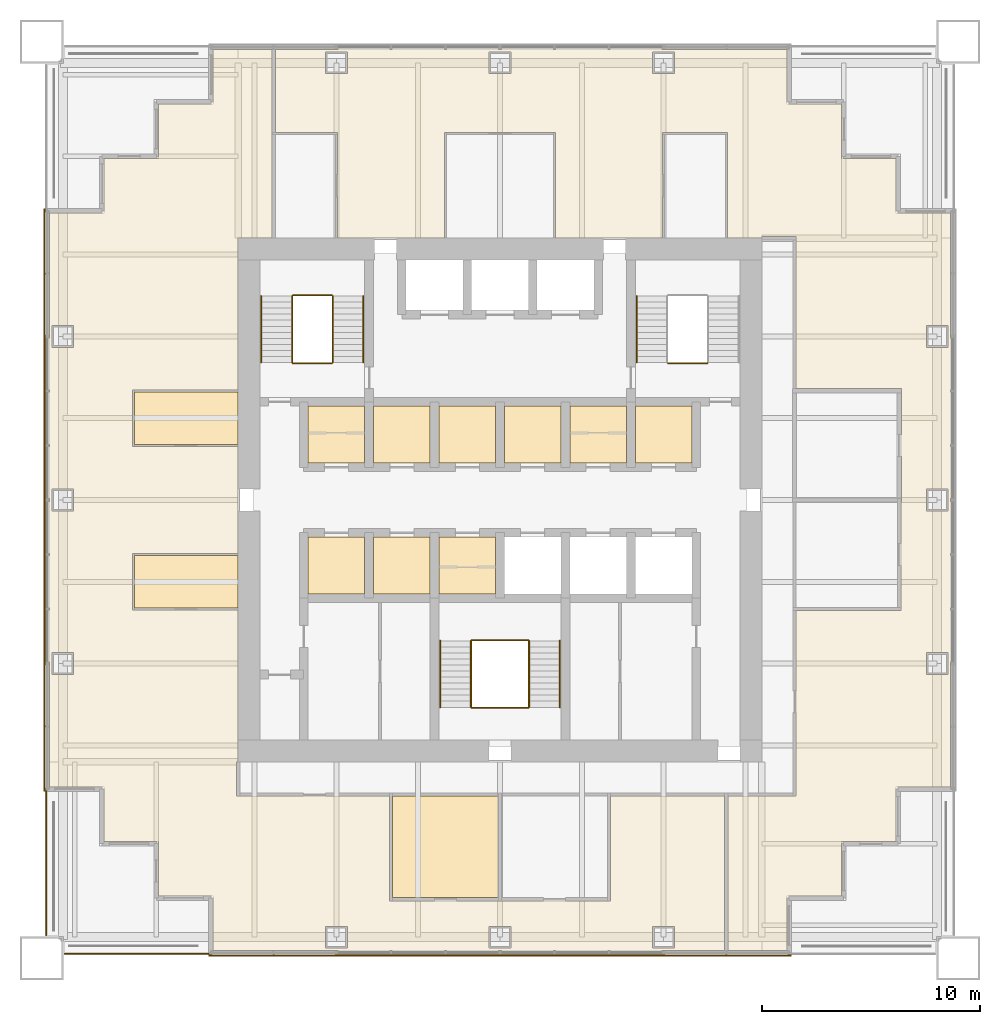
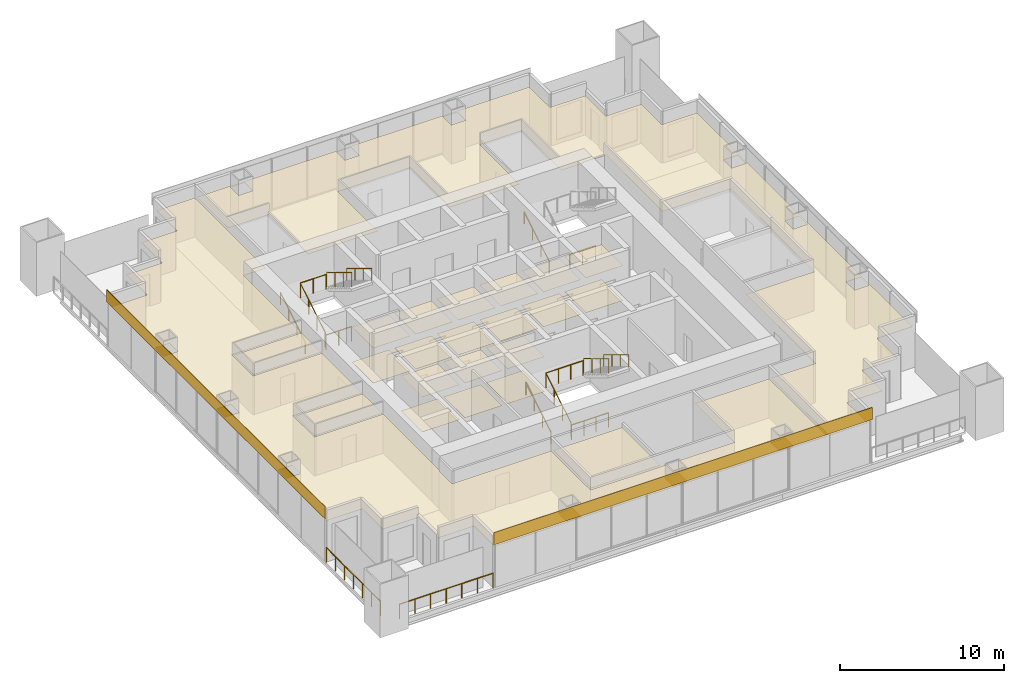
# One storey, part 13 of 14: 25 coverings, 16 railings.
"""IFC4 building model written with IfcOpenShell, lengths in metres."""

from ifc_helpers import new_model, si_unit, direction, frame, origin, origin_2d, place, context, subcontext, project, spatial, polyline, rectangle, circle, outline, extrude, material, layer, layer_set, type_object, element, save


model = new_model("IFC4")

# Units and contexts
model_context = context("Model", 3, precision=1e-05, world=origin(), true_north=direction((0.0, 1.0)))
body_context = subcontext(model_context, "Body", "Model", "MODEL_VIEW")
ifc_project = project(units=[si_unit("LENGTHUNIT", "METRE"), si_unit("AREAUNIT", "SQUARE_METRE"), si_unit("VOLUMEUNIT", "CUBIC_METRE"), si_unit("PLANEANGLEUNIT", "RADIAN"), si_unit("MASSUNIT", "GRAM", prefix="KILO")], contexts=[model_context])

# Site, building, storey
site_placement = place(None, origin())
site = spatial("IfcSite", under=ifc_project, at=site_placement, CompositionType="ELEMENT")
building_placement = place(site_placement, origin())
building = spatial("IfcBuilding", under=site, at=building_placement, Name="Tarangal Relay Tower", CompositionType="ELEMENT")
storey_placement = place(building_placement, frame((0.0, 0.0, 287.89990234375)))
storey = spatial("IfcBuildingStorey", under=building, at=storey_placement, Name="L63", CompositionType="ELEMENT", Elevation=287.89990234375)

# Coverings
ifc_material_1 = material(Name="Anti-static vinyl flooring", Category="plastic")
ifc_layer_1 = layer(ifc_material_1, 0.010009765625)
ifc_layer_set_1 = layer_set([ifc_layer_1], Name="Anti-static vinyl floor")
covering_type_1 = type_object("IfcCoveringType", Name="Anti-static vinyl floor", PredefinedType="FLOORING", material=ifc_layer_set_1)
covering_1_placement = place(storey_placement, origin())
element("IfcCovering", 1, at=covering_1_placement, inside=storey, type_object=covering_type_1, Name="Floor finish FL1 L63-D1", PredefinedType="FLOORING", context=body_context, shape_type="SweptSolid", body=[
    extrude(outline(polyline([(-8.800048828125, 1.699951171875), (-6.199951171875, 1.699951171875), (-6.199951171875, 4.300048828125), (-8.800048828125, 4.300048828125), (-8.800048828125, 1.699951171875)])), origin(), (0.0, 0.0, 1.0), 0.010009765625),
])
covering_2_placement = place(storey_placement, origin())
element("IfcCovering", 2, at=covering_2_placement, inside=storey, type_object=covering_type_1, Name="Floor finish FL1 L63-D2", PredefinedType="FLOORING", context=body_context, shape_type="SweptSolid", body=[
    extrude(outline(polyline([(-5.800048828125, 1.699951171875), (-3.199951171875, 1.699951171875), (-3.199951171875, 4.300048828125), (-5.800048828125, 4.300048828125), (-5.800048828125, 1.699951171875)])), origin(), (0.0, 0.0, 1.0), 0.010009765625),
])
covering_3_placement = place(storey_placement, origin())
element("IfcCovering", 3, at=covering_3_placement, inside=storey, type_object=covering_type_1, Name="Floor finish FL1 L63-D3", PredefinedType="FLOORING", context=body_context, shape_type="SweptSolid", body=[
    extrude(outline(polyline([(-2.800048828125, 1.699951171875), (-0.199951171875, 1.699951171875), (-0.199951171875, 4.300048828125), (-2.800048828125, 4.300048828125), (-2.800048828125, 1.699951171875)])), origin(), (0.0, 0.0, 1.0), 0.010009765625),
])
covering_4_placement = place(storey_placement, origin())
element("IfcCovering", 4, at=covering_4_placement, inside=storey, type_object=covering_type_1, Name="Floor finish FL1 L63-T1", PredefinedType="FLOORING", context=body_context, shape_type="SweptSolid", body=[
    extrude(outline(polyline([(0.199951171875, 1.699951171875), (2.800048828125, 1.699951171875), (2.800048828125, 4.300048828125), (0.199951171875, 4.300048828125), (0.199951171875, 1.699951171875)])), origin(), (0.0, 0.0, 1.0), 0.010009765625),
])
covering_5_placement = place(storey_placement, origin())
element("IfcCovering", 5, at=covering_5_placement, inside=storey, type_object=covering_type_1, Name="Floor finish FL1 L63-T2", PredefinedType="FLOORING", context=body_context, shape_type="SweptSolid", body=[
    extrude(outline(polyline([(3.199951171875, 1.699951171875), (5.800048828125, 1.699951171875), (5.800048828125, 4.300048828125), (3.199951171875, 4.300048828125), (3.199951171875, 1.699951171875)])), origin(), (0.0, 0.0, 1.0), 0.010009765625),
])
covering_6_placement = place(storey_placement, origin())
element("IfcCovering", 6, at=covering_6_placement, inside=storey, type_object=covering_type_1, Name="Floor finish FL1 L63-T3", PredefinedType="FLOORING", context=body_context, shape_type="SweptSolid", body=[
    extrude(outline(polyline([(6.199951171875, 1.699951171875), (8.800048828125, 1.699951171875), (8.800048828125, 4.300048828125), (6.199951171875, 4.300048828125), (6.199951171875, 1.699951171875)])), origin(), (0.0, 0.0, 1.0), 0.010009765625),
])
covering_7_placement = place(storey_placement, origin())
element("IfcCovering", 7, at=covering_7_placement, inside=storey, type_object=covering_type_1, Name="Floor finish FL1 L63-S1", PredefinedType="FLOORING", context=body_context, shape_type="SweptSolid", body=[
    extrude(outline(polyline([(-8.800048828125, -4.300048828125), (-6.199951171875, -4.300048828125), (-6.199951171875, -1.699951171875), (-8.800048828125, -1.699951171875), (-8.800048828125, -4.300048828125)])), origin(), (0.0, 0.0, 1.0), 0.010009765625),
])
covering_8_placement = place(storey_placement, origin())
element("IfcCovering", 8, at=covering_8_placement, inside=storey, type_object=covering_type_1, Name="Floor finish FL1 L63-S2", PredefinedType="FLOORING", context=body_context, shape_type="SweptSolid", body=[
    extrude(outline(polyline([(-5.800048828125, -4.300048828125), (-3.199951171875, -4.300048828125), (-3.199951171875, -1.699951171875), (-5.800048828125, -1.699951171875), (-5.800048828125, -4.300048828125)])), origin(), (0.0, 0.0, 1.0), 0.010009765625),
])
covering_9_placement = place(storey_placement, origin())
element("IfcCovering", 9, at=covering_9_placement, inside=storey, type_object=covering_type_1, Name="Floor finish FL1 L63-S3", PredefinedType="FLOORING", context=body_context, shape_type="SweptSolid", body=[
    extrude(outline(polyline([(-2.800048828125, -4.300048828125), (-0.199951171875, -4.300048828125), (-0.199951171875, -1.699951171875), (-2.800048828125, -1.699951171875), (-2.800048828125, -4.300048828125)])), origin(), (0.0, 0.0, 1.0), 0.010009765625),
])
ifc_material_2 = material(Name="Black anodised aluminium cladding", Category="aluminium")
ifc_layer_2 = layer(ifc_material_2, 0.050048828125)
ifc_layer_set_2 = layer_set([ifc_layer_2], Name="Black metal spandrel band")
covering_type_2 = type_object("IfcCoveringType", Name="Black metal spandrel band", PredefinedType="CLADDING", material=ifc_layer_set_2)
for number, where, z_axis, x_axis, name in (
    (10, (0.0, -20.875, 3.250244140625), (0.0, 0.0, 1.0), (-1.0, 0.0, 0.0), "Spandrel band SB1 S L63"),
    (11, (-20.875, 0.0, 3.250244140625), (0.0, 0.0, 1.0), (0.0, 1.0, 0.0), "Spandrel band SB1 W L63"),
):
    element("IfcCovering", number, at=place(storey_placement, frame(where, z_axis=z_axis, x_axis=x_axis)), inside=storey, type_object=covering_type_2, Name=name, PredefinedType="CLADDING", context=body_context, shape_type="SweptSolid", body=[
        extrude(rectangle(XDim=26.699951171875, YDim=0.050048828125, at=origin_2d()), origin(), (0.0, 0.0, 1.0), 0.89990234375),
    ])

# Railings
ifc_material_3 = material(Name="Steel guard, black finish", Category="steel")
railing_type_1 = type_object("IfcRailingType", Name="Stair guard 1100", PredefinedType="GUARDRAIL", material=ifc_material_3)
railing_1_placement = place(storey_placement, frame((-9.530029296875, 6.300048828125, 0.166748046875)))
element("IfcRailing", 12, at=railing_1_placement, inside=storey, type_object=railing_type_1, Name="Stair ST-A guard GR1 L63 flight 1", PredefinedType="GUARDRAIL", context=body_context, shape_type="SweptSolid", body=[
    extrude(circle(Radius=0.02392578125, at=origin_2d()), frame((0.0, 0.0, 1.076171875), z_axis=(0.0, 0.85685617095, 0.515555527858), x_axis=(-1.0, 0.0, 0.0)), (0.0, 0.0, 1.0), 3.555908203125),
    extrude(circle(Radius=0.02099609375, at=origin_2d()), origin(), (0.0, 0.0, 1.0), 1.052001953125),
    extrude(circle(Radius=0.02099609375, at=origin_2d()), frame((0.0, 1.015625, 0.611083984375)), (0.0, 0.0, 1.0), 1.052001953125),
    extrude(circle(Radius=0.02099609375, at=origin_2d()), frame((0.0, 2.03125, 1.22216796875)), (0.0, 0.0, 1.0), 1.052001953125),
    extrude(circle(Radius=0.02099609375, at=origin_2d()), frame((0.0, 3.046875, 1.833251953125)), (0.0, 0.0, 1.0), 1.052001953125),
])
railing_2_placement = place(storey_placement, frame((-7.669921875, 9.346923828125, 2.166748046875)))
element("IfcRailing", 13, at=railing_2_placement, inside=storey, type_object=railing_type_1, Name="Stair ST-A guard GR1 L63 flight 2", PredefinedType="GUARDRAIL", context=body_context, shape_type="SweptSolid", body=[
    extrude(circle(Radius=0.02392578125, at=origin_2d()), frame((0.0, 0.0, 1.076171875), z_axis=(0.0, -0.85685617095, 0.515555527858), x_axis=(1.0, 0.0, 0.0)), (0.0, 0.0, 1.0), 3.555908203125),
    extrude(circle(Radius=0.02099609375, at=origin_2d()), origin(), (0.0, 0.0, 1.0), 1.052001953125),
    extrude(circle(Radius=0.02099609375, at=origin_2d()), frame((0.0, -1.015625, 0.611083984375)), (0.0, 0.0, 1.0), 1.052001953125),
    extrude(circle(Radius=0.02099609375, at=origin_2d()), frame((0.0, -2.03125, 1.22216796875)), (0.0, 0.0, 1.0), 1.052001953125),
    extrude(circle(Radius=0.02099609375, at=origin_2d()), frame((0.0, -3.046875, 1.833251953125)), (0.0, 0.0, 1.0), 1.052001953125),
])
for number, where, name in (
    (14, (-9.5, 6.27001953125, 0.0), "Stair ST-A landing guard GR1 L63"),
    (15, (-9.5, 9.376953125, 2.0), "Stair ST-A landing guard GR1 L63"),
    (16, (7.699951171875, 6.27001953125, 0.0), "Stair ST-B landing guard GR1 L63"),
):
    element("IfcRailing", number, at=place(storey_placement, frame(where)), inside=storey, type_object=railing_type_1, Name=name, PredefinedType="GUARDRAIL", context=body_context, shape_type="SweptSolid", body=[
        extrude(circle(Radius=0.02392578125, at=origin_2d()), frame((0.0, 0.0, 1.076171875), z_axis=(1.0, 0.0, 0.0), x_axis=(0.0, 1.0, 0.0)), (0.0, 0.0, 1.0), 1.800048828125),
        extrude(circle(Radius=0.02099609375, at=origin_2d()), origin(), (0.0, 0.0, 1.0), 1.052001953125),
        extrude(circle(Radius=0.02099609375, at=origin_2d()), frame((0.89990234375, 0.0, 0.0)), (0.0, 0.0, 1.0), 1.052001953125),
        extrude(circle(Radius=0.02099609375, at=origin_2d()), frame((1.800048828125, 0.0, 0.0)), (0.0, 0.0, 1.0), 1.052001953125),
    ])
railing_3_placement = place(storey_placement, frame((-1.330078125, -9.5, 0.166748046875)))
element("IfcRailing", 17, at=railing_3_placement, inside=storey, type_object=railing_type_1, Name="Stair ST-C guard GR1 L63 flight 1", PredefinedType="GUARDRAIL", context=body_context, shape_type="SweptSolid", body=[
    extrude(circle(Radius=0.02392578125, at=origin_2d()), frame((0.0, 0.0, 1.076171875), z_axis=(0.0, 0.856874418557, 0.515525199018), x_axis=(-1.0, 0.0, 0.0)), (0.0, 0.0, 1.0), 3.55615234375),
    extrude(circle(Radius=0.02099609375, at=origin_2d()), origin(), (0.0, 0.0, 1.0), 1.052001953125),
    extrude(circle(Radius=0.02099609375, at=origin_2d()), frame((0.0, 1.015625, 0.611083984375)), (0.0, 0.0, 1.0), 1.052001953125),
    extrude(circle(Radius=0.02099609375, at=origin_2d()), frame((0.0, 2.031494140625, 1.22216796875)), (0.0, 0.0, 1.0), 1.052001953125),
    extrude(circle(Radius=0.02099609375, at=origin_2d()), frame((0.0, 3.047119140625, 1.833251953125)), (0.0, 0.0, 1.0), 1.052001953125),
])
railing_4_placement = place(storey_placement, frame((1.330078125, -6.452880859375, 2.166748046875)))
element("IfcRailing", 18, at=railing_4_placement, inside=storey, type_object=railing_type_1, Name="Stair ST-C guard GR1 L63 flight 2", PredefinedType="GUARDRAIL", context=body_context, shape_type="SweptSolid", body=[
    extrude(circle(Radius=0.02392578125, at=origin_2d()), frame((0.0, 0.0, 1.076171875), z_axis=(0.0, -0.856874418557, 0.515525199018), x_axis=(1.0, 0.0, 0.0)), (0.0, 0.0, 1.0), 3.55615234375),
    extrude(circle(Radius=0.02099609375, at=origin_2d()), origin(), (0.0, 0.0, 1.0), 1.052001953125),
    extrude(circle(Radius=0.02099609375, at=origin_2d()), frame((0.0, -1.015625, 0.611083984375)), (0.0, 0.0, 1.0), 1.052001953125),
    extrude(circle(Radius=0.02099609375, at=origin_2d()), frame((0.0, -2.031494140625, 1.22216796875)), (0.0, 0.0, 1.0), 1.052001953125),
    extrude(circle(Radius=0.02099609375, at=origin_2d()), frame((0.0, -3.047119140625, 1.833251953125)), (0.0, 0.0, 1.0), 1.052001953125),
])
for number, where, name in (
    (19, (-1.300048828125, -9.530029296875, 0.0), "Stair ST-C landing guard GR1 L63"),
    (20, (-1.300048828125, -6.423095703125, 2.0), "Stair ST-C landing guard GR1 L63"),
):
    element("IfcRailing", number, at=place(storey_placement, frame(where)), inside=storey, type_object=railing_type_1, Name=name, PredefinedType="GUARDRAIL", context=body_context, shape_type="SweptSolid", body=[
        extrude(circle(Radius=0.02392578125, at=origin_2d()), frame((0.0, 0.0, 1.076171875), z_axis=(1.0, 0.0, 0.0), x_axis=(0.0, 1.0, 0.0)), (0.0, 0.0, 1.0), 2.60009765625),
        extrude(circle(Radius=0.02099609375, at=origin_2d()), origin(), (0.0, 0.0, 1.0), 1.052001953125),
        extrude(circle(Radius=0.02099609375, at=origin_2d()), frame((0.86669921875, 0.0, 0.0)), (0.0, 0.0, 1.0), 1.052001953125),
        extrude(circle(Radius=0.02099609375, at=origin_2d()), frame((1.7333984375, 0.0, 0.0)), (0.0, 0.0, 1.0), 1.052001953125),
        extrude(circle(Radius=0.02099609375, at=origin_2d()), frame((2.60009765625, 0.0, 0.0)), (0.0, 0.0, 1.0), 1.052001953125),
    ])
ifc_material_4 = material(Name="Steel handrail, black finish", Category="steel")
railing_type_2 = type_object("IfcRailingType", Name="Stair handrail 900", PredefinedType="HANDRAIL", material=ifc_material_4)
railing_5_placement = place(storey_placement, frame((-10.93994140625, 6.300048828125, 0.166748046875)))
element("IfcRailing", 21, at=railing_5_placement, inside=storey, type_object=railing_type_2, Name="Stair ST-A handrail HR1 L63 flight 1", PredefinedType="HANDRAIL", context=body_context, shape_type="SweptSolid", body=[
    extrude(circle(Radius=0.02392578125, at=origin_2d()), frame((0.0, 0.0, 0.8759765625), z_axis=(0.0, 0.85685617095, 0.515555527858), x_axis=(-1.0, 0.0, 0.0)), (0.0, 0.0, 1.0), 3.555908203125),
    extrude(circle(Radius=0.02099609375, at=origin_2d()), origin(), (0.0, 0.0, 1.0), 0.851806640625),
    extrude(circle(Radius=0.02099609375, at=origin_2d()), frame((0.0, 1.015625, 0.611083984375)), (0.0, 0.0, 1.0), 0.851806640625),
    extrude(circle(Radius=0.02099609375, at=origin_2d()), frame((0.0, 2.03125, 1.22216796875)), (0.0, 0.0, 1.0), 0.851806640625),
    extrude(circle(Radius=0.02099609375, at=origin_2d()), frame((0.0, 3.046875, 1.833251953125)), (0.0, 0.0, 1.0), 0.851806640625),
])
railing_6_placement = place(storey_placement, frame((-6.260009765625, 9.346923828125, 2.166748046875)))
element("IfcRailing", 22, at=railing_6_placement, inside=storey, type_object=railing_type_2, Name="Stair ST-A handrail HR1 L63 flight 2", PredefinedType="HANDRAIL", context=body_context, shape_type="SweptSolid", body=[
    extrude(circle(Radius=0.02392578125, at=origin_2d()), frame((0.0, 0.0, 0.8759765625), z_axis=(0.0, -0.85685617095, 0.515555527858), x_axis=(1.0, 0.0, 0.0)), (0.0, 0.0, 1.0), 3.555908203125),
    extrude(circle(Radius=0.02099609375, at=origin_2d()), origin(), (0.0, 0.0, 1.0), 0.851806640625),
    extrude(circle(Radius=0.02099609375, at=origin_2d()), frame((0.0, -1.015625, 0.611083984375)), (0.0, 0.0, 1.0), 0.851806640625),
    extrude(circle(Radius=0.02099609375, at=origin_2d()), frame((0.0, -2.03125, 1.22216796875)), (0.0, 0.0, 1.0), 0.851806640625),
    extrude(circle(Radius=0.02099609375, at=origin_2d()), frame((0.0, -3.046875, 1.833251953125)), (0.0, 0.0, 1.0), 0.851806640625),
])
railing_7_placement = place(storey_placement, frame((6.260009765625, 6.300048828125, 0.166748046875)))
element("IfcRailing", 23, at=railing_7_placement, inside=storey, type_object=railing_type_2, Name="Stair ST-B handrail HR1 L63 flight 1", PredefinedType="HANDRAIL", context=body_context, shape_type="SweptSolid", body=[
    extrude(circle(Radius=0.02392578125, at=origin_2d()), frame((0.0, 0.0, 0.8759765625), z_axis=(0.0, 0.85685617095, 0.515555527858), x_axis=(-1.0, 0.0, 0.0)), (0.0, 0.0, 1.0), 3.555908203125),
    extrude(circle(Radius=0.02099609375, at=origin_2d()), origin(), (0.0, 0.0, 1.0), 0.851806640625),
    extrude(circle(Radius=0.02099609375, at=origin_2d()), frame((0.0, 1.015625, 0.611083984375)), (0.0, 0.0, 1.0), 0.851806640625),
    extrude(circle(Radius=0.02099609375, at=origin_2d()), frame((0.0, 2.03125, 1.22216796875)), (0.0, 0.0, 1.0), 0.851806640625),
    extrude(circle(Radius=0.02099609375, at=origin_2d()), frame((0.0, 3.046875, 1.833251953125)), (0.0, 0.0, 1.0), 0.851806640625),
])
railing_8_placement = place(storey_placement, frame((-2.739990234375, -9.5, 0.166748046875)))
element("IfcRailing", 24, at=railing_8_placement, inside=storey, type_object=railing_type_2, Name="Stair ST-C handrail HR1 L63 flight 1", PredefinedType="HANDRAIL", context=body_context, shape_type="SweptSolid", body=[
    extrude(circle(Radius=0.02392578125, at=origin_2d()), frame((0.0, 0.0, 0.8759765625), z_axis=(0.0, 0.856874418557, 0.515525199018), x_axis=(-1.0, 0.0, 0.0)), (0.0, 0.0, 1.0), 3.55615234375),
    extrude(circle(Radius=0.02099609375, at=origin_2d()), origin(), (0.0, 0.0, 1.0), 0.851806640625),
    extrude(circle(Radius=0.02099609375, at=origin_2d()), frame((0.0, 1.015625, 0.611083984375)), (0.0, 0.0, 1.0), 0.851806640625),
    extrude(circle(Radius=0.02099609375, at=origin_2d()), frame((0.0, 2.031494140625, 1.22216796875)), (0.0, 0.0, 1.0), 0.851806640625),
    extrude(circle(Radius=0.02099609375, at=origin_2d()), frame((0.0, 3.047119140625, 1.833251953125)), (0.0, 0.0, 1.0), 0.851806640625),
])
railing_9_placement = place(storey_placement, frame((2.739990234375, -6.452880859375, 2.166748046875)))
element("IfcRailing", 25, at=railing_9_placement, inside=storey, type_object=railing_type_2, Name="Stair ST-C handrail HR1 L63 flight 2", PredefinedType="HANDRAIL", context=body_context, shape_type="SweptSolid", body=[
    extrude(circle(Radius=0.02392578125, at=origin_2d()), frame((0.0, 0.0, 0.8759765625), z_axis=(0.0, -0.856874418557, 0.515525199018), x_axis=(1.0, 0.0, 0.0)), (0.0, 0.0, 1.0), 3.55615234375),
    extrude(circle(Radius=0.02099609375, at=origin_2d()), origin(), (0.0, 0.0, 1.0), 0.851806640625),
    extrude(circle(Radius=0.02099609375, at=origin_2d()), frame((0.0, -1.015625, 0.611083984375)), (0.0, 0.0, 1.0), 0.851806640625),
    extrude(circle(Radius=0.02099609375, at=origin_2d()), frame((0.0, -2.031494140625, 1.22216796875)), (0.0, 0.0, 1.0), 0.851806640625),
    extrude(circle(Radius=0.02099609375, at=origin_2d()), frame((0.0, -3.047119140625, 1.833251953125)), (0.0, 0.0, 1.0), 0.851806640625),
])

# Coverings
ifc_material_5 = material(Name="Mineral fibre ceiling tiles", Category="gypsum")
ifc_layer_3 = layer(ifc_material_5, 0.02001953125)
ifc_layer_set_3 = layer_set([ifc_layer_3], Name="Suspended ceiling")
covering_type_3 = type_object("IfcCoveringType", Name="Suspended ceiling", PredefinedType="CEILING", material=ifc_layer_set_3)
covering_10_placement = place(storey_placement, frame((0.0, 0.0, 2.60009765625)))
element("IfcCovering", 26, at=covering_10_placement, inside=storey, type_object=covering_type_3, Name="Suspended ceiling CL1 L63-D1", PredefinedType="CEILING", context=body_context, shape_type="SweptSolid", body=[
    extrude(outline(polyline([(-8.800048828125, 1.699951171875), (-6.199951171875, 1.699951171875), (-6.199951171875, 4.300048828125), (-8.800048828125, 4.300048828125), (-8.800048828125, 1.699951171875)])), origin(), (0.0, 0.0, 1.0), 0.02001953125),
])
covering_11_placement = place(storey_placement, frame((0.0, 0.0, 2.60009765625)))
element("IfcCovering", 27, at=covering_11_placement, inside=storey, type_object=covering_type_3, Name="Suspended ceiling CL1 L63-D2", PredefinedType="CEILING", context=body_context, shape_type="SweptSolid", body=[
    extrude(outline(polyline([(-5.800048828125, 1.699951171875), (-3.199951171875, 1.699951171875), (-3.199951171875, 4.300048828125), (-5.800048828125, 4.300048828125), (-5.800048828125, 1.699951171875)])), origin(), (0.0, 0.0, 1.0), 0.02001953125),
])
covering_12_placement = place(storey_placement, frame((0.0, 0.0, 2.60009765625)))
element("IfcCovering", 28, at=covering_12_placement, inside=storey, type_object=covering_type_3, Name="Suspended ceiling CL1 L63-D3", PredefinedType="CEILING", context=body_context, shape_type="SweptSolid", body=[
    extrude(outline(polyline([(-2.800048828125, 1.699951171875), (-0.199951171875, 1.699951171875), (-0.199951171875, 4.300048828125), (-2.800048828125, 4.300048828125), (-2.800048828125, 1.699951171875)])), origin(), (0.0, 0.0, 1.0), 0.02001953125),
])
covering_13_placement = place(storey_placement, frame((0.0, 0.0, 2.60009765625)))
element("IfcCovering", 29, at=covering_13_placement, inside=storey, type_object=covering_type_3, Name="Suspended ceiling CL1 L63-T1", PredefinedType="CEILING", context=body_context, shape_type="SweptSolid", body=[
    extrude(outline(polyline([(0.199951171875, 1.699951171875), (2.800048828125, 1.699951171875), (2.800048828125, 4.300048828125), (0.199951171875, 4.300048828125), (0.199951171875, 1.699951171875)])), origin(), (0.0, 0.0, 1.0), 0.02001953125),
])
covering_14_placement = place(storey_placement, frame((0.0, 0.0, 2.60009765625)))
element("IfcCovering", 30, at=covering_14_placement, inside=storey, type_object=covering_type_3, Name="Suspended ceiling CL1 L63-T2", PredefinedType="CEILING", context=body_context, shape_type="SweptSolid", body=[
    extrude(outline(polyline([(3.199951171875, 1.699951171875), (5.800048828125, 1.699951171875), (5.800048828125, 4.300048828125), (3.199951171875, 4.300048828125), (3.199951171875, 1.699951171875)])), origin(), (0.0, 0.0, 1.0), 0.02001953125),
])
covering_15_placement = place(storey_placement, frame((0.0, 0.0, 2.60009765625)))
element("IfcCovering", 31, at=covering_15_placement, inside=storey, type_object=covering_type_3, Name="Suspended ceiling CL1 L63-T3", PredefinedType="CEILING", context=body_context, shape_type="SweptSolid", body=[
    extrude(outline(polyline([(6.199951171875, 1.699951171875), (8.800048828125, 1.699951171875), (8.800048828125, 4.300048828125), (6.199951171875, 4.300048828125), (6.199951171875, 1.699951171875)])), origin(), (0.0, 0.0, 1.0), 0.02001953125),
])
covering_16_placement = place(storey_placement, frame((0.0, 0.0, 2.60009765625)))
element("IfcCovering", 32, at=covering_16_placement, inside=storey, type_object=covering_type_3, Name="Suspended ceiling CL1 L63-S1", PredefinedType="CEILING", context=body_context, shape_type="SweptSolid", body=[
    extrude(outline(polyline([(-8.800048828125, -4.300048828125), (-6.199951171875, -4.300048828125), (-6.199951171875, -1.699951171875), (-8.800048828125, -1.699951171875), (-8.800048828125, -4.300048828125)])), origin(), (0.0, 0.0, 1.0), 0.02001953125),
])
covering_17_placement = place(storey_placement, frame((0.0, 0.0, 2.60009765625)))
element("IfcCovering", 33, at=covering_17_placement, inside=storey, type_object=covering_type_3, Name="Suspended ceiling CL1 L63-S2", PredefinedType="CEILING", context=body_context, shape_type="SweptSolid", body=[
    extrude(outline(polyline([(-5.800048828125, -4.300048828125), (-3.199951171875, -4.300048828125), (-3.199951171875, -1.699951171875), (-5.800048828125, -1.699951171875), (-5.800048828125, -4.300048828125)])), origin(), (0.0, 0.0, 1.0), 0.02001953125),
])
covering_18_placement = place(storey_placement, frame((0.0, 0.0, 2.60009765625)))
element("IfcCovering", 34, at=covering_18_placement, inside=storey, type_object=covering_type_3, Name="Suspended ceiling CL1 L63-S3", PredefinedType="CEILING", context=body_context, shape_type="SweptSolid", body=[
    extrude(outline(polyline([(-2.800048828125, -4.300048828125), (-0.199951171875, -4.300048828125), (-0.199951171875, -1.699951171875), (-2.800048828125, -1.699951171875), (-2.800048828125, -4.300048828125)])), origin(), (0.0, 0.0, 1.0), 0.02001953125),
])
covering_19_placement = place(storey_placement, frame((0.0, 0.0, 2.900146484375)))
element("IfcCovering", 35, at=covering_19_placement, inside=storey, type_object=covering_type_3, Name="Suspended ceiling CL1 L63-08", PredefinedType="CEILING", context=body_context, shape_type="SweptSolid", body=[
    extrude(outline(polyline([(-0.074951171875, -13.574951171875), (-4.925048828125, -13.574951171875), (-4.925048828125, -18.22509765625), (-0.074951171875, -18.22509765625), (-0.074951171875, -13.574951171875)])), origin(), (0.0, 0.0, 1.0), 0.02001953125),
])
covering_20_placement = place(storey_placement, frame((0.0, 0.0, 2.900146484375)))
element("IfcCovering", 36, at=covering_20_placement, inside=storey, type_object=covering_type_3, Name="Suspended ceiling CL1 L63-09", PredefinedType="CEILING", context=body_context, shape_type="SweptSolid", body=[
    extrude(outline(polyline([(-12.0, -2.550048828125), (-16.75, -2.550048828125), (-16.75, -4.949951171875), (-12.0, -4.949951171875), (-12.0, -2.550048828125)])), origin(), (0.0, 0.0, 1.0), 0.02001953125),
])
covering_21_placement = place(storey_placement, frame((0.0, 0.0, 2.900146484375)))
element("IfcCovering", 37, at=covering_21_placement, inside=storey, type_object=covering_type_3, Name="Suspended ceiling CL1 L63-10", PredefinedType="CEILING", context=body_context, shape_type="SweptSolid", body=[
    extrude(outline(polyline([(-12.0, 4.949951171875), (-16.75, 4.949951171875), (-16.75, 2.550048828125), (-12.0, 2.550048828125), (-12.0, 4.949951171875)])), origin(), (0.0, 0.0, 1.0), 0.02001953125),
])
covering_22_placement = place(storey_placement, frame((0.0, 0.0, 2.900146484375)))
element("IfcCovering", 38, at=covering_22_placement, inside=storey, type_object=covering_type_3, Name="Suspended ceiling CL1 L63-11", PredefinedType="CEILING", context=body_context, shape_type="SweptSolid", body=[
    extrude(outline(polyline([(7.449951171875, 12.0), (7.449951171875, 16.85009765625), (10.425048828125, 16.85009765625), (10.425048828125, 12.0), (12.0, 12.0), (12.0, 12.074951171875), (13.574951171875, 12.074951171875), (13.574951171875, 5.10009765625), (18.39990234375, 5.10009765625), (18.39990234375, -0.10009765625), (18.375, -0.10009765625), (18.375, -5.074951171875), (13.574951171875, -5.074951171875), (13.574951171875, -13.574951171875), (10.449951171875, -13.574951171875), (10.449951171875, -20.64990234375), (13.14990234375, -20.64990234375), (13.14990234375, -18.14990234375), (15.64990234375, -18.14990234375), (15.64990234375, -15.64990234375), (18.14990234375, -15.64990234375), (18.14990234375, -13.14990234375), (20.64990234375, -13.14990234375), (20.64990234375, 13.14990234375), (18.14990234375, 13.14990234375), (18.14990234375, 15.64990234375), (15.64990234375, 15.64990234375), (15.64990234375, 18.14990234375), (13.14990234375, 18.14990234375), (13.14990234375, 20.64990234375), (-10.300048828125, 20.64990234375), (-10.300048828125, 16.85009765625), (-7.449951171875, 16.85009765625), (-7.449951171875, 12.0), (-2.550048828125, 12.0), (-2.550048828125, 16.85009765625), (2.550048828125, 16.85009765625), (2.550048828125, 12.0), (7.449951171875, 12.0)]), holes=[polyline([(19.5400390625, -8.0), (20.5400390625, -8.0), (20.5400390625, -7.0), (19.5400390625, -7.0), (19.5400390625, -8.0)]), polyline([(19.5400390625, 0.5), (19.5400390625, -0.5), (20.5400390625, -0.5), (20.5400390625, 0.5), (19.5400390625, 0.5)]), polyline([(19.5400390625, 8.0), (19.5400390625, 7.0), (20.5400390625, 7.0), (20.5400390625, 8.0), (19.5400390625, 8.0)]), polyline([(-8.0, 19.5400390625), (-7.0, 19.5400390625), (-7.0, 20.5400390625), (-8.0, 20.5400390625), (-8.0, 19.5400390625)]), polyline([(-0.5, 20.5400390625), (-0.5, 19.5400390625), (0.5, 19.5400390625), (0.5, 20.5400390625), (-0.5, 20.5400390625)]), polyline([(7.0, 20.5400390625), (7.0, 19.5400390625), (8.0, 19.5400390625), (8.0, 20.5400390625), (7.0, 20.5400390625)])]), origin(), (0.0, 0.0, 1.0), 0.02001953125),
])
covering_23_placement = place(storey_placement, frame((0.0, 0.0, 2.900146484375)))
element("IfcCovering", 39, at=covering_23_placement, inside=storey, type_object=covering_type_3, Name="Suspended ceiling CL1 L63-12", PredefinedType="CEILING", context=body_context, shape_type="SweptSolid", body=[
    extrude(outline(polyline([(-12.0, 12.0), (-10.449951171875, 12.0), (-10.449951171875, 20.64990234375), (-13.14990234375, 20.64990234375), (-13.14990234375, 18.14990234375), (-15.64990234375, 18.14990234375), (-15.64990234375, 15.64990234375), (-18.14990234375, 15.64990234375), (-18.14990234375, 13.14990234375), (-20.64990234375, 13.14990234375), (-20.64990234375, -13.14990234375), (-18.14990234375, -13.14990234375), (-18.14990234375, -15.64990234375), (-15.64990234375, -15.64990234375), (-15.64990234375, -18.14990234375), (-13.14990234375, -18.14990234375), (-13.14990234375, -20.64990234375), (10.300048828125, -20.64990234375), (10.300048828125, -13.574951171875), (5.074951171875, -13.574951171875), (5.074951171875, -18.375), (-5.074951171875, -18.375), (-5.074951171875, -13.574951171875), (-12.074951171875, -13.574951171875), (-12.074951171875, -12.0), (-12.0, -12.0), (-12.0, -5.050048828125), (-16.85009765625, -5.050048828125), (-16.85009765625, -2.449951171875), (-12.0, -2.449951171875), (-12.0, 2.449951171875), (-16.85009765625, 2.449951171875), (-16.85009765625, 5.050048828125), (-12.0, 5.050048828125), (-12.0, 12.0)]), holes=[polyline([(-8.0, -20.5400390625), (-7.0, -20.5400390625), (-7.0, -19.5400390625), (-8.0, -19.5400390625), (-8.0, -20.5400390625)]), polyline([(-0.5, -19.5400390625), (-0.5, -20.5400390625), (0.5, -20.5400390625), (0.5, -19.5400390625), (-0.5, -19.5400390625)]), polyline([(7.0, -19.5400390625), (7.0, -20.5400390625), (8.0, -20.5400390625), (8.0, -19.5400390625), (7.0, -19.5400390625)]), polyline([(-20.5400390625, -8.0), (-19.5400390625, -8.0), (-19.5400390625, -7.0), (-20.5400390625, -7.0), (-20.5400390625, -8.0)]), polyline([(-20.5400390625, 0.5), (-20.5400390625, -0.5), (-19.5400390625, -0.5), (-19.5400390625, 0.5), (-20.5400390625, 0.5)]), polyline([(-20.5400390625, 8.0), (-20.5400390625, 7.0), (-19.5400390625, 7.0), (-19.5400390625, 8.0), (-20.5400390625, 8.0)])]), origin(), (0.0, 0.0, 1.0), 0.02001953125),
])

# Railings
ifc_material_6 = material(Name="Black steel guard with glass infill", Category="steel")
railing_type_3 = type_object("IfcRailingType", Name="Terrace guard 1100", PredefinedType="GUARDRAIL", material=ifc_material_6)
railing_10_placement = place(storey_placement, frame((-13.35009765625, -20.800048828125, 0.0)))
element("IfcRailing", 40, at=railing_10_placement, inside=storey, type_object=railing_type_3, Name="Terrace guard GR2 SW L63", PredefinedType="GUARDRAIL", context=body_context, shape_type="SweptSolid", body=[
    extrude(circle(Radius=0.02392578125, at=origin_2d()), frame((0.0, 0.0, 1.076171875), z_axis=(-1.0, 0.0, 0.0), x_axis=(0.0, -1.0, 0.0)), (0.0, 0.0, 1.0), 6.599853515625),
    extrude(circle(Radius=0.02099609375, at=origin_2d()), origin(), (0.0, 0.0, 1.0), 1.052001953125),
    extrude(circle(Radius=0.02099609375, at=origin_2d()), frame((-1.10009765625, 0.0, 0.0)), (0.0, 0.0, 1.0), 1.052001953125),
    extrude(circle(Radius=0.02099609375, at=origin_2d()), frame((-2.199951171875, 0.0, 0.0)), (0.0, 0.0, 1.0), 1.052001953125),
    extrude(circle(Radius=0.02099609375, at=origin_2d()), frame((-3.2998046875, 0.0, 0.0)), (0.0, 0.0, 1.0), 1.052001953125),
    extrude(circle(Radius=0.02099609375, at=origin_2d()), frame((-4.39990234375, 0.0, 0.0)), (0.0, 0.0, 1.0), 1.052001953125),
    extrude(circle(Radius=0.02099609375, at=origin_2d()), frame((-5.5, 0.0, 0.0)), (0.0, 0.0, 1.0), 1.052001953125),
    extrude(circle(Radius=0.02099609375, at=origin_2d()), frame((-6.599853515625, 0.0, 0.0)), (0.0, 0.0, 1.0), 1.052001953125),
])
railing_11_placement = place(storey_placement, frame((-20.800048828125, -19.949951171875, 0.0)))
element("IfcRailing", 41, at=railing_11_placement, inside=storey, type_object=railing_type_3, Name="Terrace guard GR2 SW L63", PredefinedType="GUARDRAIL", context=body_context, shape_type="SweptSolid", body=[
    extrude(circle(Radius=0.02392578125, at=origin_2d()), frame((0.0, 0.0, 1.076171875), z_axis=(0.0, 1.0, 0.0), x_axis=(-1.0, 0.0, 0.0)), (0.0, 0.0, 1.0), 6.599853515625),
    extrude(circle(Radius=0.02099609375, at=origin_2d()), origin(), (0.0, 0.0, 1.0), 1.052001953125),
    extrude(circle(Radius=0.02099609375, at=origin_2d()), frame((0.0, 1.10009765625, 0.0)), (0.0, 0.0, 1.0), 1.052001953125),
    extrude(circle(Radius=0.02099609375, at=origin_2d()), frame((0.0, 2.199951171875, 0.0)), (0.0, 0.0, 1.0), 1.052001953125),
    extrude(circle(Radius=0.02099609375, at=origin_2d()), frame((0.0, 3.2998046875, 0.0)), (0.0, 0.0, 1.0), 1.052001953125),
    extrude(circle(Radius=0.02099609375, at=origin_2d()), frame((0.0, 4.39990234375, 0.0)), (0.0, 0.0, 1.0), 1.052001953125),
    extrude(circle(Radius=0.02099609375, at=origin_2d()), frame((0.0, 5.5, 0.0)), (0.0, 0.0, 1.0), 1.052001953125),
    extrude(circle(Radius=0.02099609375, at=origin_2d()), frame((0.0, 6.599853515625, 0.0)), (0.0, 0.0, 1.0), 1.052001953125),
])

save(model, "model.ifc")
